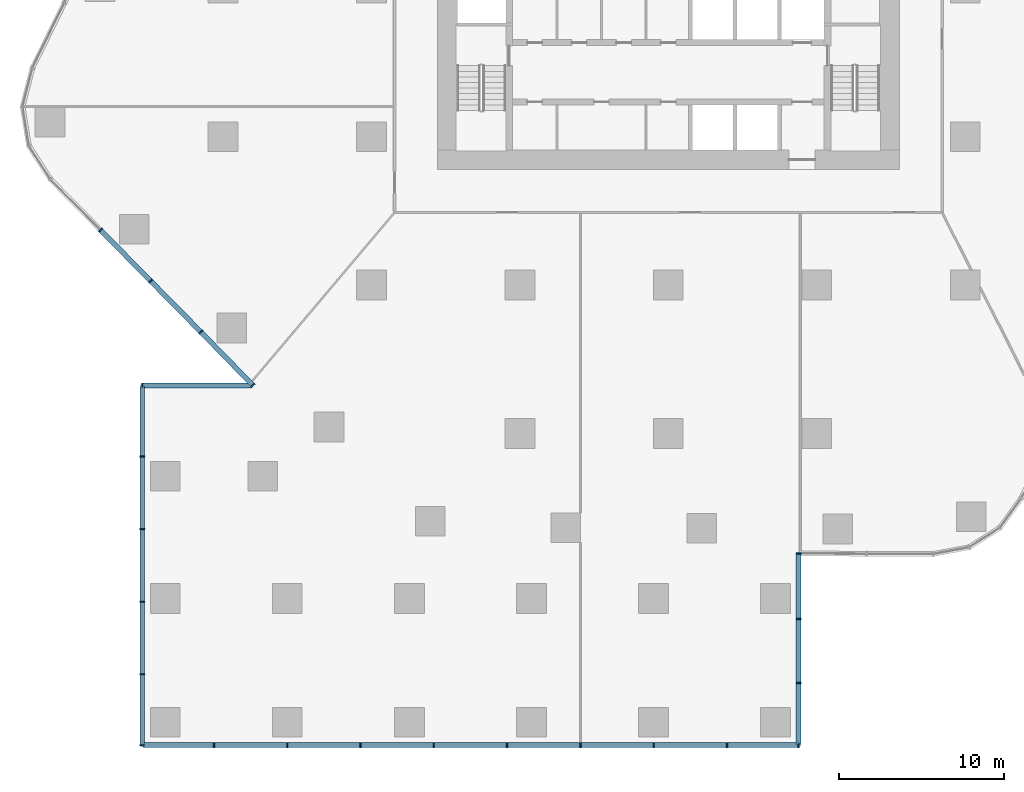
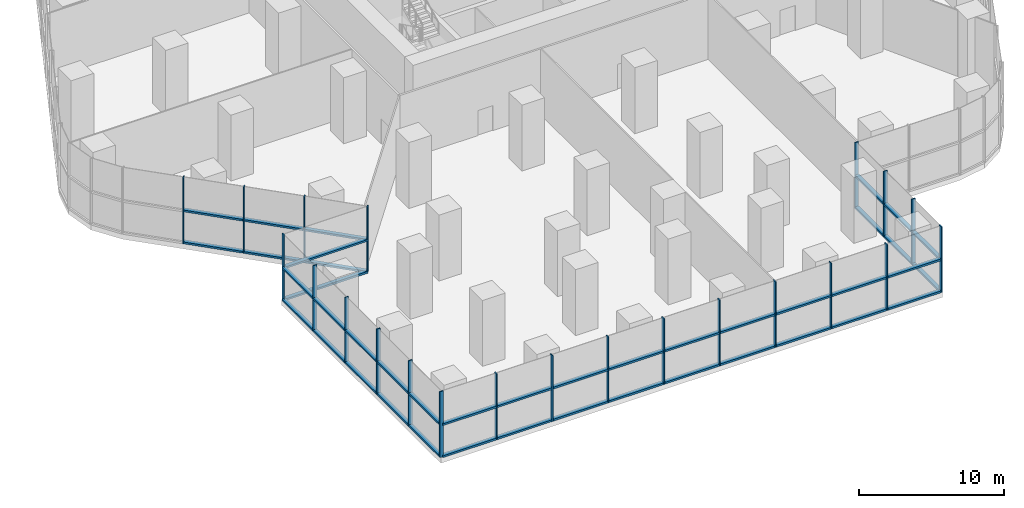
# One storey, part 2 of 15: 64 members, 5 elements without a shape of their own.
"""IFC4 building model written with IfcOpenShell, lengths in metres."""

from ifc_helpers import new_model, si_unit, direction, frame, origin, origin_2d, place, context, subcontext, project, spatial, rectangle, extrude, material, layer, layer_set, material_profile, profile_set, type_object, element, aggregate, save


model = new_model("IFC4")

# Units and contexts
model_context = context("Model", 3, precision=1e-05, world=origin(), true_north=direction((0.0, 1.0)))
body_context = subcontext(model_context, "Body", "Model", "MODEL_VIEW")
ifc_project = project(units=[si_unit("LENGTHUNIT", "METRE"), si_unit("AREAUNIT", "SQUARE_METRE"), si_unit("VOLUMEUNIT", "CUBIC_METRE"), si_unit("PLANEANGLEUNIT", "RADIAN"), si_unit("MASSUNIT", "GRAM", prefix="KILO")], contexts=[model_context])

# Site, building, storey
site_placement = place(None, origin())
site = spatial("IfcSite", under=ifc_project, at=site_placement, CompositionType="ELEMENT")
building_placement = place(site_placement, origin())
building = spatial("IfcBuilding", under=site, at=building_placement, Name="Dongbaek Canopy Tower", CompositionType="ELEMENT")
storey_placement = place(building_placement, frame((0.0, 0.0, 27.0)))
storey = spatial("IfcBuildingStorey", under=building, at=storey_placement, Name="L03", CompositionType="ELEMENT", Elevation=27.0)

# Curtain wall, members
ifc_material_1 = material(Name="Aluminium 6063-T6 pale anodised", Category="aluminium")
ifc_layer = layer(ifc_material_1, 0.300048828125)
ifc_layer_set = layer_set([ifc_layer], Name="CW-2 podium hall curtain wall")
curtain_wall_type = type_object("IfcCurtainWallType", Name="CW-2 podium hall curtain wall", PredefinedType="NOTDEFINED", material=ifc_layer_set)
curtain_wall_1_placement = place(storey_placement, origin())
curtain_wall_1 = element("IfcCurtainWall", 1, at=curtain_wall_1_placement, inside=storey, type_object=curtain_wall_type, Name="CW-2 curtain wall F4.1", PredefinedType="NOTDEFINED")
ifc_material_2 = material(Name="Aluminium 6063-T6 pale anodised", Category="aluminium")
ifc_material_profile_1 = material_profile(ifc_material_2, rectangle(XDim=0.300048828125, YDim=0.080078125, at=origin_2d()), Name="CW-2 mullion 80 x 300")
ifc_profile_set_1 = profile_set([ifc_material_profile_1], Name="Aluminium 6063-T6 pale anodised")
member_type_1 = type_object("IfcMemberType", Name="CW-2 mullion 80 x 300", PredefinedType="MULLION", material=ifc_profile_set_1)
member_1_placement = place(storey_placement, frame((-34.432861328125, -14.668212890625, 0.0), z_axis=(0.0, 0.0, 1.0), x_axis=(-0.71245453488, -0.70171827376, 0.0)))
member_1 = element("IfcMember", 2, at=member_1_placement, type_object=member_type_1, Name="CW-2 mullion F4.1.2", PredefinedType="MULLION", context=body_context, shape_type="SweptSolid", body=[
    extrude(rectangle(XDim=0.300048828125, YDim=0.080078125, at=origin_2d()), origin(), (0.0, 0.0, 1.0), 5.550048828125),
])
member_2_placement = place(storey_placement, frame((-31.392333984375, -17.75537109375, 0.0), z_axis=(0.0, 0.0, 1.0), x_axis=(-0.71245453488, -0.70171827376, 0.0)))
member_2 = element("IfcMember", 3, at=member_2_placement, type_object=member_type_1, Name="CW-2 mullion F4.1.3", PredefinedType="MULLION", context=body_context, shape_type="SweptSolid", body=[
    extrude(rectangle(XDim=0.300048828125, YDim=0.080078125, at=origin_2d()), origin(), (0.0, 0.0, 1.0), 5.550048828125),
])
member_3_placement = place(storey_placement, frame((-28.3515625, -20.842529296875, 0.0), z_axis=(0.0, 0.0, 1.0), x_axis=(-0.714220075218, -0.699921198533, 0.0)))
member_3 = element("IfcMember", 4, at=member_3_placement, type_object=member_type_1, Name="CW-2 mullion F4.1.4", PredefinedType="MULLION", context=body_context, shape_type="SweptSolid", body=[
    extrude(rectangle(XDim=0.300048828125, YDim=0.080078125, at=origin_2d()), origin(), (0.0, 0.0, 1.0), 5.550048828125),
])
member_4_placement = place(storey_placement, frame((-25.19775390625, -24.0771484375, 0.0), z_axis=(0.0, 0.0, 1.0), x_axis=(-0.71598108269, -0.698119681165, 0.0)))
member_4 = element("IfcMember", 5, at=member_4_placement, type_object=member_type_1, Name="CW-2 mullion F4.1.5", PredefinedType="MULLION", context=body_context, shape_type="SweptSolid", body=[
    extrude(rectangle(XDim=0.300048828125, YDim=0.080078125, at=origin_2d()), origin(), (0.0, 0.0, 1.0), 5.550048828125),
])

# Curtain wall, member
curtain_wall_2_placement = place(storey_placement, origin())
curtain_wall_2 = element("IfcCurtainWall", 6, at=curtain_wall_2_placement, inside=storey, type_object=curtain_wall_type, Name="CW-2 curtain wall F5.1", PredefinedType="NOTDEFINED")
member_5_placement = place(storey_placement, frame((-31.89990234375, -24.10009765625, 0.0), z_axis=(0.0, 0.0, 1.0), x_axis=(-0.003396170688, 0.999994232996, 0.0)))
member_5 = element("IfcMember", 7, at=member_5_placement, type_object=member_type_1, Name="CW-2 mullion F5.1.2", PredefinedType="MULLION", context=body_context, shape_type="SweptSolid", body=[
    extrude(rectangle(XDim=0.300048828125, YDim=0.080078125, at=origin_2d()), origin(), (0.0, 0.0, 1.0), 5.550048828125),
])

# Curtain wall, members
curtain_wall_3_placement = place(storey_placement, origin())
curtain_wall_3 = element("IfcCurtainWall", 8, at=curtain_wall_3_placement, inside=storey, type_object=curtain_wall_type, Name="CW-2 curtain wall F6.1", PredefinedType="NOTDEFINED")
member_6_placement = place(storey_placement, frame((-31.89990234375, -28.39990234375, 0.0), z_axis=(0.0, 0.0, 1.0), x_axis=(-1.0, 0.0, 0.0)))
member_6 = element("IfcMember", 9, at=member_6_placement, type_object=member_type_1, Name="CW-2 mullion F6.1.2", PredefinedType="MULLION", context=body_context, shape_type="SweptSolid", body=[
    extrude(rectangle(XDim=0.300048828125, YDim=0.080078125, at=origin_2d()), origin(), (0.0, 0.0, 1.0), 5.550048828125),
])
member_7_placement = place(storey_placement, frame((-31.89990234375, -32.800048828125, 0.0), z_axis=(0.0, 0.0, 1.0), x_axis=(-1.0, 0.0, 0.0)))
member_7 = element("IfcMember", 10, at=member_7_placement, type_object=member_type_1, Name="CW-2 mullion F6.1.3", PredefinedType="MULLION", context=body_context, shape_type="SweptSolid", body=[
    extrude(rectangle(XDim=0.300048828125, YDim=0.080078125, at=origin_2d()), origin(), (0.0, 0.0, 1.0), 5.550048828125),
])
member_8_placement = place(storey_placement, frame((-31.89990234375, -37.199951171875, 0.0), z_axis=(0.0, 0.0, 1.0), x_axis=(-1.0, 0.0, 0.0)))
member_8 = element("IfcMember", 11, at=member_8_placement, type_object=member_type_1, Name="CW-2 mullion F6.1.4", PredefinedType="MULLION", context=body_context, shape_type="SweptSolid", body=[
    extrude(rectangle(XDim=0.300048828125, YDim=0.080078125, at=origin_2d()), origin(), (0.0, 0.0, 1.0), 5.550048828125),
])
member_9_placement = place(storey_placement, frame((-31.89990234375, -41.60009765625, 0.0), z_axis=(0.0, 0.0, 1.0), x_axis=(-1.0, 0.0, 0.0)))
member_9 = element("IfcMember", 12, at=member_9_placement, type_object=member_type_1, Name="CW-2 mullion F6.1.5", PredefinedType="MULLION", context=body_context, shape_type="SweptSolid", body=[
    extrude(rectangle(XDim=0.300048828125, YDim=0.080078125, at=origin_2d()), origin(), (0.0, 0.0, 1.0), 5.550048828125),
])
member_10_placement = place(storey_placement, frame((-31.89990234375, -45.89990234375, 0.0), z_axis=(0.0, 0.0, 1.0), x_axis=(-1.0, 0.0, 0.0)))
member_10 = element("IfcMember", 13, at=member_10_placement, type_object=member_type_1, Name="CW-2 mullion F6.1.6", PredefinedType="MULLION", context=body_context, shape_type="SweptSolid", body=[
    extrude(rectangle(XDim=0.300048828125, YDim=0.080078125, at=origin_2d()), origin(), (0.0, 0.0, 1.0), 5.550048828125),
])

curtain_wall_4_placement = place(storey_placement, origin())
curtain_wall_4 = element("IfcCurtainWall", 14, at=curtain_wall_4_placement, inside=storey, type_object=curtain_wall_type, Name="CW-2 curtain wall F7.1", PredefinedType="NOTDEFINED")
member_11_placement = place(storey_placement, frame((-27.5556640625, -45.89990234375, 0.0), z_axis=(0.0, 0.0, 1.0), x_axis=(0.0, -1.0, 0.0)))
member_11 = element("IfcMember", 15, at=member_11_placement, type_object=member_type_1, Name="CW-2 mullion F7.1.2", PredefinedType="MULLION", context=body_context, shape_type="SweptSolid", body=[
    extrude(rectangle(XDim=0.300048828125, YDim=0.080078125, at=origin_2d()), origin(), (0.0, 0.0, 1.0), 5.550048828125),
])
member_12_placement = place(storey_placement, frame((-23.111083984375, -45.89990234375, 0.0), z_axis=(0.0, 0.0, 1.0), x_axis=(0.0, -1.0, 0.0)))
member_12 = element("IfcMember", 16, at=member_12_placement, type_object=member_type_1, Name="CW-2 mullion F7.1.3", PredefinedType="MULLION", context=body_context, shape_type="SweptSolid", body=[
    extrude(rectangle(XDim=0.300048828125, YDim=0.080078125, at=origin_2d()), origin(), (0.0, 0.0, 1.0), 5.550048828125),
])
member_13_placement = place(storey_placement, frame((-18.666748046875, -45.89990234375, 0.0), z_axis=(0.0, 0.0, 1.0), x_axis=(0.0, -1.0, 0.0)))
member_13 = element("IfcMember", 17, at=member_13_placement, type_object=member_type_1, Name="CW-2 mullion F7.1.4", PredefinedType="MULLION", context=body_context, shape_type="SweptSolid", body=[
    extrude(rectangle(XDim=0.300048828125, YDim=0.080078125, at=origin_2d()), origin(), (0.0, 0.0, 1.0), 5.550048828125),
])
member_14_placement = place(storey_placement, frame((-14.22216796875, -45.89990234375, 0.0), z_axis=(0.0, 0.0, 1.0), x_axis=(0.0, -1.0, 0.0)))
member_14 = element("IfcMember", 18, at=member_14_placement, type_object=member_type_1, Name="CW-2 mullion F7.1.5", PredefinedType="MULLION", context=body_context, shape_type="SweptSolid", body=[
    extrude(rectangle(XDim=0.300048828125, YDim=0.080078125, at=origin_2d()), origin(), (0.0, 0.0, 1.0), 5.550048828125),
])
member_15_placement = place(storey_placement, frame((-9.77783203125, -45.89990234375, 0.0), z_axis=(0.0, 0.0, 1.0), x_axis=(0.0, -1.0, 0.0)))
member_15 = element("IfcMember", 19, at=member_15_placement, type_object=member_type_1, Name="CW-2 mullion F7.1.6", PredefinedType="MULLION", context=body_context, shape_type="SweptSolid", body=[
    extrude(rectangle(XDim=0.300048828125, YDim=0.080078125, at=origin_2d()), origin(), (0.0, 0.0, 1.0), 5.550048828125),
])
member_16_placement = place(storey_placement, frame((-5.333251953125, -45.89990234375, 0.0), z_axis=(0.0, 0.0, 1.0), x_axis=(0.0, -1.0, 0.0)))
member_16 = element("IfcMember", 20, at=member_16_placement, type_object=member_type_1, Name="CW-2 mullion F7.1.7", PredefinedType="MULLION", context=body_context, shape_type="SweptSolid", body=[
    extrude(rectangle(XDim=0.300048828125, YDim=0.080078125, at=origin_2d()), origin(), (0.0, 0.0, 1.0), 5.550048828125),
])
member_17_placement = place(storey_placement, frame((-0.888916015625, -45.89990234375, 0.0), z_axis=(0.0, 0.0, 1.0), x_axis=(0.0, -1.0, 0.0)))
member_17 = element("IfcMember", 21, at=member_17_placement, type_object=member_type_1, Name="CW-2 mullion F7.1.8", PredefinedType="MULLION", context=body_context, shape_type="SweptSolid", body=[
    extrude(rectangle(XDim=0.300048828125, YDim=0.080078125, at=origin_2d()), origin(), (0.0, 0.0, 1.0), 5.550048828125),
])
member_18_placement = place(storey_placement, frame((3.5556640625, -45.89990234375, 0.0), z_axis=(0.0, 0.0, 1.0), x_axis=(0.0, -1.0, 0.0)))
member_18 = element("IfcMember", 22, at=member_18_placement, type_object=member_type_1, Name="CW-2 mullion F7.1.9", PredefinedType="MULLION", context=body_context, shape_type="SweptSolid", body=[
    extrude(rectangle(XDim=0.300048828125, YDim=0.080078125, at=origin_2d()), origin(), (0.0, 0.0, 1.0), 5.550048828125),
])
member_19_placement = place(storey_placement, frame((7.89990234375, -45.89990234375, 0.0), z_axis=(0.0, 0.0, 1.0), x_axis=(0.0, -1.0, 0.0)))
member_19 = element("IfcMember", 23, at=member_19_placement, type_object=member_type_1, Name="CW-2 mullion F7.1.10", PredefinedType="MULLION", context=body_context, shape_type="SweptSolid", body=[
    extrude(rectangle(XDim=0.300048828125, YDim=0.080078125, at=origin_2d()), origin(), (0.0, 0.0, 1.0), 5.550048828125),
])

curtain_wall_5_placement = place(storey_placement, origin())
curtain_wall_5 = element("IfcCurtainWall", 24, at=curtain_wall_5_placement, inside=storey, type_object=curtain_wall_type, Name="CW-2 curtain wall F8.1", PredefinedType="NOTDEFINED")
member_20_placement = place(storey_placement, frame((7.89990234375, -42.126708984375, 0.0), z_axis=(0.0, 0.0, 1.0), x_axis=(1.0, 0.0, 0.0)))
member_20 = element("IfcMember", 25, at=member_20_placement, type_object=member_type_1, Name="CW-2 mullion F8.1.2", PredefinedType="MULLION", context=body_context, shape_type="SweptSolid", body=[
    extrude(rectangle(XDim=0.300048828125, YDim=0.080078125, at=origin_2d()), origin(), (0.0, 0.0, 1.0), 5.550048828125),
])
member_21_placement = place(storey_placement, frame((7.89990234375, -38.25341796875, 0.0), z_axis=(0.0, 0.0, 1.0), x_axis=(1.0, 0.0, 0.0)))
member_21 = element("IfcMember", 26, at=member_21_placement, type_object=member_type_1, Name="CW-2 mullion F8.1.3", PredefinedType="MULLION", context=body_context, shape_type="SweptSolid", body=[
    extrude(rectangle(XDim=0.300048828125, YDim=0.080078125, at=origin_2d()), origin(), (0.0, 0.0, 1.0), 5.550048828125),
])
member_22_placement = place(storey_placement, frame((7.89990234375, -34.27978515625, 0.0), z_axis=(0.0, 0.0, 1.0), x_axis=(1.0, 0.0, 0.0)))
member_22 = element("IfcMember", 27, at=member_22_placement, type_object=member_type_1, Name="CW-2 mullion F8.1.4", PredefinedType="MULLION", context=body_context, shape_type="SweptSolid", body=[
    extrude(rectangle(XDim=0.300048828125, YDim=0.080078125, at=origin_2d()), origin(), (0.0, 0.0, 1.0), 5.550048828125),
])

# Member
ifc_material_3 = material(Name="Aluminium 6063-T6 pale anodised", Category="aluminium")
ifc_material_profile_2 = material_profile(ifc_material_3, rectangle(XDim=0.300048828125, YDim=0.159912109375, at=origin_2d()), Name="CW-2 transom 160 x 300")
ifc_profile_set_2 = profile_set([ifc_material_profile_2], Name="Aluminium 6063-T6 pale anodised")
member_type_2 = type_object("IfcMemberType", Name="CW-2 transom 160 x 300", PredefinedType="USERDEFINED", material=ifc_profile_set_2)
member_23_placement = place(storey_placement, frame((-34.396484375, -14.705322265625, 0.080078125), z_axis=(0.701746738889, -0.712426497584, 0.0), x_axis=(0.712426497584, 0.701746738889, 0.0)))
member_23 = element("IfcMember", 28, at=member_23_placement, type_object=member_type_2, Name="CW-2 transom F4.1.2.1", ObjectType="TRANSOM", PredefinedType="USERDEFINED", context=body_context, shape_type="SweptSolid", body=[
    extrude(rectangle(XDim=0.300048828125, YDim=0.159912109375, at=origin_2d()), origin(), (0.0, 0.0, 1.0), 4.22900390625),
])

member_24_placement = place(storey_placement, frame((-34.396484375, -14.705322265625, 2.77490234375), z_axis=(0.701746738889, -0.712426497584, 0.0), x_axis=(0.712426497584, 0.701746738889, 0.0)))
member_24 = element("IfcMember", 29, at=member_24_placement, type_object=member_type_2, Name="CW-2 transom F4.1.2.2", ObjectType="TRANSOM", PredefinedType="USERDEFINED", context=body_context, shape_type="SweptSolid", body=[
    extrude(rectangle(XDim=0.300048828125, YDim=0.159912109375, at=origin_2d()), origin(), (0.0, 0.0, 1.0), 4.22900390625),
])

member_25_placement = place(storey_placement, frame((-31.355712890625, -17.79248046875, 0.080078125), z_axis=(0.701717878579, -0.712454924105, 0.0), x_axis=(0.712454924105, 0.701717878579, 0.0)))
member_25 = element("IfcMember", 30, at=member_25_placement, type_object=member_type_2, Name="CW-2 transom F4.1.3.1", ObjectType="TRANSOM", PredefinedType="USERDEFINED", context=body_context, shape_type="SweptSolid", body=[
    extrude(rectangle(XDim=0.300048828125, YDim=0.159912109375, at=origin_2d()), origin(), (0.0, 0.0, 1.0), 4.229248046875),
])

member_26_placement = place(storey_placement, frame((-31.355712890625, -17.79248046875, 2.77490234375), z_axis=(0.701717878579, -0.712454924105, 0.0), x_axis=(0.712454924105, 0.701717878579, 0.0)))
member_26 = element("IfcMember", 31, at=member_26_placement, type_object=member_type_2, Name="CW-2 transom F4.1.3.2", ObjectType="TRANSOM", PredefinedType="USERDEFINED", context=body_context, shape_type="SweptSolid", body=[
    extrude(rectangle(XDim=0.300048828125, YDim=0.159912109375, at=origin_2d()), origin(), (0.0, 0.0, 1.0), 4.229248046875),
])

member_27_placement = place(storey_placement, frame((-28.315185546875, -20.8798828125, 0.080078125), z_axis=(0.698117150151, -0.715983550555, 0.0), x_axis=(0.715983550555, 0.698117150151, 0.0)))
member_27 = element("IfcMember", 32, at=member_27_placement, type_object=member_type_2, Name="CW-2 transom F4.1.4.1", ObjectType="TRANSOM", PredefinedType="USERDEFINED", context=body_context, shape_type="SweptSolid", body=[
    extrude(rectangle(XDim=0.300048828125, YDim=0.159912109375, at=origin_2d()), origin(), (0.0, 0.0, 1.0), 4.413818359375),
])

member_28_placement = place(storey_placement, frame((-28.315185546875, -20.8798828125, 2.77490234375), z_axis=(0.698117150151, -0.715983550555, 0.0), x_axis=(0.715983550555, 0.698117150151, 0.0)))
member_28 = element("IfcMember", 33, at=member_28_placement, type_object=member_type_2, Name="CW-2 transom F4.1.4.2", ObjectType="TRANSOM", PredefinedType="USERDEFINED", context=body_context, shape_type="SweptSolid", body=[
    extrude(rectangle(XDim=0.300048828125, YDim=0.159912109375, at=origin_2d()), origin(), (0.0, 0.0, 1.0), 4.413818359375),
])

aggregate(curtain_wall_1, [member_1, member_2, member_3, member_4, member_23, member_24, member_25, member_26, member_27, member_28])

member_29_placement = place(storey_placement, frame((-25.249755859375, -24.077392578125, 0.080078125), z_axis=(-0.999994206002, -0.003404109633, 0.0), x_axis=(0.003404109633, -0.999994206002, 0.0)))
member_29 = element("IfcMember", 34, at=member_29_placement, type_object=member_type_2, Name="CW-2 transom F5.1.1.1", ObjectType="TRANSOM", PredefinedType="USERDEFINED", context=body_context, shape_type="SweptSolid", body=[
    extrude(rectangle(XDim=0.300048828125, YDim=0.159912109375, at=origin_2d()), origin(), (0.0, 0.0, 1.0), 6.59814453125),
])

member_30_placement = place(storey_placement, frame((-25.249755859375, -24.077392578125, 2.77490234375), z_axis=(-0.999994206002, -0.003404109633, 0.0), x_axis=(0.003404109633, -0.999994206002, 0.0)))
member_30 = element("IfcMember", 35, at=member_30_placement, type_object=member_type_2, Name="CW-2 transom F5.1.1.2", ObjectType="TRANSOM", PredefinedType="USERDEFINED", context=body_context, shape_type="SweptSolid", body=[
    extrude(rectangle(XDim=0.300048828125, YDim=0.159912109375, at=origin_2d()), origin(), (0.0, 0.0, 1.0), 6.59814453125),
])

aggregate(curtain_wall_2, [member_5, member_29, member_30])

member_31_placement = place(storey_placement, frame((-31.89990234375, -24.152099609375, 0.080078125), z_axis=(0.0, -1.0, 0.0), x_axis=(1.0, 0.0, 0.0)))
member_31 = element("IfcMember", 36, at=member_31_placement, type_object=member_type_2, Name="CW-2 transom F6.1.1.1", ObjectType="TRANSOM", PredefinedType="USERDEFINED", context=body_context, shape_type="SweptSolid", body=[
    extrude(rectangle(XDim=0.300048828125, YDim=0.159912109375, at=origin_2d()), origin(), (0.0, 0.0, 1.0), 4.19580078125),
])

member_32_placement = place(storey_placement, frame((-31.89990234375, -24.152099609375, 2.77490234375), z_axis=(0.0, -1.0, 0.0), x_axis=(1.0, 0.0, 0.0)))
member_32 = element("IfcMember", 37, at=member_32_placement, type_object=member_type_2, Name="CW-2 transom F6.1.1.2", ObjectType="TRANSOM", PredefinedType="USERDEFINED", context=body_context, shape_type="SweptSolid", body=[
    extrude(rectangle(XDim=0.300048828125, YDim=0.159912109375, at=origin_2d()), origin(), (0.0, 0.0, 1.0), 4.19580078125),
])

member_33_placement = place(storey_placement, frame((-31.89990234375, -28.451904296875, 0.080078125), z_axis=(0.0, -1.0, 0.0), x_axis=(1.0, 0.0, 0.0)))
member_33 = element("IfcMember", 38, at=member_33_placement, type_object=member_type_2, Name="CW-2 transom F6.1.2.1", ObjectType="TRANSOM", PredefinedType="USERDEFINED", context=body_context, shape_type="SweptSolid", body=[
    extrude(rectangle(XDim=0.300048828125, YDim=0.159912109375, at=origin_2d()), origin(), (0.0, 0.0, 1.0), 4.296142578125),
])

member_34_placement = place(storey_placement, frame((-31.89990234375, -28.451904296875, 2.77490234375), z_axis=(0.0, -1.0, 0.0), x_axis=(1.0, 0.0, 0.0)))
member_34 = element("IfcMember", 39, at=member_34_placement, type_object=member_type_2, Name="CW-2 transom F6.1.2.2", ObjectType="TRANSOM", PredefinedType="USERDEFINED", context=body_context, shape_type="SweptSolid", body=[
    extrude(rectangle(XDim=0.300048828125, YDim=0.159912109375, at=origin_2d()), origin(), (0.0, 0.0, 1.0), 4.296142578125),
])

member_35_placement = place(storey_placement, frame((-31.89990234375, -32.85205078125, 0.080078125), z_axis=(0.0, -1.0, 0.0), x_axis=(1.0, 0.0, 0.0)))
member_35 = element("IfcMember", 40, at=member_35_placement, type_object=member_type_2, Name="CW-2 transom F6.1.3.1", ObjectType="TRANSOM", PredefinedType="USERDEFINED", context=body_context, shape_type="SweptSolid", body=[
    extrude(rectangle(XDim=0.300048828125, YDim=0.159912109375, at=origin_2d()), origin(), (0.0, 0.0, 1.0), 4.2958984375),
])

member_36_placement = place(storey_placement, frame((-31.89990234375, -32.85205078125, 2.77490234375), z_axis=(0.0, -1.0, 0.0), x_axis=(1.0, 0.0, 0.0)))
member_36 = element("IfcMember", 41, at=member_36_placement, type_object=member_type_2, Name="CW-2 transom F6.1.3.2", ObjectType="TRANSOM", PredefinedType="USERDEFINED", context=body_context, shape_type="SweptSolid", body=[
    extrude(rectangle(XDim=0.300048828125, YDim=0.159912109375, at=origin_2d()), origin(), (0.0, 0.0, 1.0), 4.2958984375),
])

member_37_placement = place(storey_placement, frame((-31.89990234375, -37.251953125, 0.080078125), z_axis=(0.0, -1.0, 0.0), x_axis=(1.0, 0.0, 0.0)))
member_37 = element("IfcMember", 42, at=member_37_placement, type_object=member_type_2, Name="CW-2 transom F6.1.4.1", ObjectType="TRANSOM", PredefinedType="USERDEFINED", context=body_context, shape_type="SweptSolid", body=[
    extrude(rectangle(XDim=0.300048828125, YDim=0.159912109375, at=origin_2d()), origin(), (0.0, 0.0, 1.0), 4.296142578125),
])

member_38_placement = place(storey_placement, frame((-31.89990234375, -37.251953125, 2.77490234375), z_axis=(0.0, -1.0, 0.0), x_axis=(1.0, 0.0, 0.0)))
member_38 = element("IfcMember", 43, at=member_38_placement, type_object=member_type_2, Name="CW-2 transom F6.1.4.2", ObjectType="TRANSOM", PredefinedType="USERDEFINED", context=body_context, shape_type="SweptSolid", body=[
    extrude(rectangle(XDim=0.300048828125, YDim=0.159912109375, at=origin_2d()), origin(), (0.0, 0.0, 1.0), 4.296142578125),
])

member_39_placement = place(storey_placement, frame((-31.89990234375, -41.652099609375, 0.080078125), z_axis=(0.0, -1.0, 0.0), x_axis=(1.0, 0.0, 0.0)))
member_39 = element("IfcMember", 44, at=member_39_placement, type_object=member_type_2, Name="CW-2 transom F6.1.5.1", ObjectType="TRANSOM", PredefinedType="USERDEFINED", context=body_context, shape_type="SweptSolid", body=[
    extrude(rectangle(XDim=0.300048828125, YDim=0.159912109375, at=origin_2d()), origin(), (0.0, 0.0, 1.0), 4.19580078125),
])

member_40_placement = place(storey_placement, frame((-31.89990234375, -41.652099609375, 2.77490234375), z_axis=(0.0, -1.0, 0.0), x_axis=(1.0, 0.0, 0.0)))
member_40 = element("IfcMember", 45, at=member_40_placement, type_object=member_type_2, Name="CW-2 transom F6.1.5.2", ObjectType="TRANSOM", PredefinedType="USERDEFINED", context=body_context, shape_type="SweptSolid", body=[
    extrude(rectangle(XDim=0.300048828125, YDim=0.159912109375, at=origin_2d()), origin(), (0.0, 0.0, 1.0), 4.19580078125),
])

aggregate(curtain_wall_3, [member_6, member_7, member_8, member_9, member_10, member_31, member_32, member_33, member_34, member_35, member_36, member_37, member_38, member_39, member_40])

member_41_placement = place(storey_placement, frame((-31.847900390625, -45.89990234375, 0.080078125), z_axis=(1.0, 0.0, 0.0), x_axis=(0.0, 1.0, 0.0)))
member_41 = element("IfcMember", 46, at=member_41_placement, type_object=member_type_2, Name="CW-2 transom F7.1.1.1", ObjectType="TRANSOM", PredefinedType="USERDEFINED", context=body_context, shape_type="SweptSolid", body=[
    extrude(rectangle(XDim=0.300048828125, YDim=0.159912109375, at=origin_2d()), origin(), (0.0, 0.0, 1.0), 4.240234375),
])

member_42_placement = place(storey_placement, frame((-31.847900390625, -45.89990234375, 2.77490234375), z_axis=(1.0, 0.0, 0.0), x_axis=(0.0, 1.0, 0.0)))
member_42 = element("IfcMember", 47, at=member_42_placement, type_object=member_type_2, Name="CW-2 transom F7.1.1.2", ObjectType="TRANSOM", PredefinedType="USERDEFINED", context=body_context, shape_type="SweptSolid", body=[
    extrude(rectangle(XDim=0.300048828125, YDim=0.159912109375, at=origin_2d()), origin(), (0.0, 0.0, 1.0), 4.240234375),
])

member_43_placement = place(storey_placement, frame((-27.503662109375, -45.89990234375, 0.080078125), z_axis=(1.0, 0.0, 0.0), x_axis=(0.0, 1.0, 0.0)))
member_43 = element("IfcMember", 48, at=member_43_placement, type_object=member_type_2, Name="CW-2 transom F7.1.2.1", ObjectType="TRANSOM", PredefinedType="USERDEFINED", context=body_context, shape_type="SweptSolid", body=[
    extrude(rectangle(XDim=0.300048828125, YDim=0.159912109375, at=origin_2d()), origin(), (0.0, 0.0, 1.0), 4.340576171875),
])

member_44_placement = place(storey_placement, frame((-27.503662109375, -45.89990234375, 2.77490234375), z_axis=(1.0, 0.0, 0.0), x_axis=(0.0, 1.0, 0.0)))
member_44 = element("IfcMember", 49, at=member_44_placement, type_object=member_type_2, Name="CW-2 transom F7.1.2.2", ObjectType="TRANSOM", PredefinedType="USERDEFINED", context=body_context, shape_type="SweptSolid", body=[
    extrude(rectangle(XDim=0.300048828125, YDim=0.159912109375, at=origin_2d()), origin(), (0.0, 0.0, 1.0), 4.340576171875),
])

member_45_placement = place(storey_placement, frame((-23.05908203125, -45.89990234375, 0.080078125), z_axis=(1.0, 0.0, 0.0), x_axis=(0.0, 1.0, 0.0)))
member_45 = element("IfcMember", 50, at=member_45_placement, type_object=member_type_2, Name="CW-2 transom F7.1.3.1", ObjectType="TRANSOM", PredefinedType="USERDEFINED", context=body_context, shape_type="SweptSolid", body=[
    extrude(rectangle(XDim=0.300048828125, YDim=0.159912109375, at=origin_2d()), origin(), (0.0, 0.0, 1.0), 4.34033203125),
])

member_46_placement = place(storey_placement, frame((-23.05908203125, -45.89990234375, 2.77490234375), z_axis=(1.0, 0.0, 0.0), x_axis=(0.0, 1.0, 0.0)))
member_46 = element("IfcMember", 51, at=member_46_placement, type_object=member_type_2, Name="CW-2 transom F7.1.3.2", ObjectType="TRANSOM", PredefinedType="USERDEFINED", context=body_context, shape_type="SweptSolid", body=[
    extrude(rectangle(XDim=0.300048828125, YDim=0.159912109375, at=origin_2d()), origin(), (0.0, 0.0, 1.0), 4.34033203125),
])

member_47_placement = place(storey_placement, frame((-18.61474609375, -45.89990234375, 0.080078125), z_axis=(1.0, 0.0, 0.0), x_axis=(0.0, 1.0, 0.0)))
member_47 = element("IfcMember", 52, at=member_47_placement, type_object=member_type_2, Name="CW-2 transom F7.1.4.1", ObjectType="TRANSOM", PredefinedType="USERDEFINED", context=body_context, shape_type="SweptSolid", body=[
    extrude(rectangle(XDim=0.300048828125, YDim=0.159912109375, at=origin_2d()), origin(), (0.0, 0.0, 1.0), 4.340576171875),
])

member_48_placement = place(storey_placement, frame((-18.61474609375, -45.89990234375, 2.77490234375), z_axis=(1.0, 0.0, 0.0), x_axis=(0.0, 1.0, 0.0)))
member_48 = element("IfcMember", 53, at=member_48_placement, type_object=member_type_2, Name="CW-2 transom F7.1.4.2", ObjectType="TRANSOM", PredefinedType="USERDEFINED", context=body_context, shape_type="SweptSolid", body=[
    extrude(rectangle(XDim=0.300048828125, YDim=0.159912109375, at=origin_2d()), origin(), (0.0, 0.0, 1.0), 4.340576171875),
])

member_49_placement = place(storey_placement, frame((-14.170166015625, -45.89990234375, 0.080078125), z_axis=(1.0, 0.0, 0.0), x_axis=(0.0, 1.0, 0.0)))
member_49 = element("IfcMember", 54, at=member_49_placement, type_object=member_type_2, Name="CW-2 transom F7.1.5.1", ObjectType="TRANSOM", PredefinedType="USERDEFINED", context=body_context, shape_type="SweptSolid", body=[
    extrude(rectangle(XDim=0.300048828125, YDim=0.159912109375, at=origin_2d()), origin(), (0.0, 0.0, 1.0), 4.34033203125),
])

member_50_placement = place(storey_placement, frame((-14.170166015625, -45.89990234375, 2.77490234375), z_axis=(1.0, 0.0, 0.0), x_axis=(0.0, 1.0, 0.0)))
member_50 = element("IfcMember", 55, at=member_50_placement, type_object=member_type_2, Name="CW-2 transom F7.1.5.2", ObjectType="TRANSOM", PredefinedType="USERDEFINED", context=body_context, shape_type="SweptSolid", body=[
    extrude(rectangle(XDim=0.300048828125, YDim=0.159912109375, at=origin_2d()), origin(), (0.0, 0.0, 1.0), 4.34033203125),
])

member_51_placement = place(storey_placement, frame((-9.725830078125, -45.89990234375, 0.080078125), z_axis=(1.0, 0.0, 0.0), x_axis=(0.0, 1.0, 0.0)))
member_51 = element("IfcMember", 56, at=member_51_placement, type_object=member_type_2, Name="CW-2 transom F7.1.6.1", ObjectType="TRANSOM", PredefinedType="USERDEFINED", context=body_context, shape_type="SweptSolid", body=[
    extrude(rectangle(XDim=0.300048828125, YDim=0.159912109375, at=origin_2d()), origin(), (0.0, 0.0, 1.0), 4.340576171875),
])

member_52_placement = place(storey_placement, frame((-9.725830078125, -45.89990234375, 2.77490234375), z_axis=(1.0, 0.0, 0.0), x_axis=(0.0, 1.0, 0.0)))
member_52 = element("IfcMember", 57, at=member_52_placement, type_object=member_type_2, Name="CW-2 transom F7.1.6.2", ObjectType="TRANSOM", PredefinedType="USERDEFINED", context=body_context, shape_type="SweptSolid", body=[
    extrude(rectangle(XDim=0.300048828125, YDim=0.159912109375, at=origin_2d()), origin(), (0.0, 0.0, 1.0), 4.340576171875),
])

member_53_placement = place(storey_placement, frame((-5.28125, -45.89990234375, 0.080078125), z_axis=(1.0, 0.0, 0.0), x_axis=(0.0, 1.0, 0.0)))
member_53 = element("IfcMember", 58, at=member_53_placement, type_object=member_type_2, Name="CW-2 transom F7.1.7.1", ObjectType="TRANSOM", PredefinedType="USERDEFINED", context=body_context, shape_type="SweptSolid", body=[
    extrude(rectangle(XDim=0.300048828125, YDim=0.159912109375, at=origin_2d()), origin(), (0.0, 0.0, 1.0), 4.34033203125),
])

member_54_placement = place(storey_placement, frame((-5.28125, -45.89990234375, 2.77490234375), z_axis=(1.0, 0.0, 0.0), x_axis=(0.0, 1.0, 0.0)))
member_54 = element("IfcMember", 59, at=member_54_placement, type_object=member_type_2, Name="CW-2 transom F7.1.7.2", ObjectType="TRANSOM", PredefinedType="USERDEFINED", context=body_context, shape_type="SweptSolid", body=[
    extrude(rectangle(XDim=0.300048828125, YDim=0.159912109375, at=origin_2d()), origin(), (0.0, 0.0, 1.0), 4.34033203125),
])

member_55_placement = place(storey_placement, frame((-0.8369140625, -45.89990234375, 0.080078125), z_axis=(1.0, 0.0, 0.0), x_axis=(0.0, 1.0, 0.0)))
member_55 = element("IfcMember", 60, at=member_55_placement, type_object=member_type_2, Name="CW-2 transom F7.1.8.1", ObjectType="TRANSOM", PredefinedType="USERDEFINED", context=body_context, shape_type="SweptSolid", body=[
    extrude(rectangle(XDim=0.300048828125, YDim=0.159912109375, at=origin_2d()), origin(), (0.0, 0.0, 1.0), 4.340576171875),
])

member_56_placement = place(storey_placement, frame((-0.8369140625, -45.89990234375, 2.77490234375), z_axis=(1.0, 0.0, 0.0), x_axis=(0.0, 1.0, 0.0)))
member_56 = element("IfcMember", 61, at=member_56_placement, type_object=member_type_2, Name="CW-2 transom F7.1.8.2", ObjectType="TRANSOM", PredefinedType="USERDEFINED", context=body_context, shape_type="SweptSolid", body=[
    extrude(rectangle(XDim=0.300048828125, YDim=0.159912109375, at=origin_2d()), origin(), (0.0, 0.0, 1.0), 4.340576171875),
])

member_57_placement = place(storey_placement, frame((3.607666015625, -45.89990234375, 0.080078125), z_axis=(1.0, 0.0, 0.0), x_axis=(0.0, 1.0, 0.0)))
member_57 = element("IfcMember", 62, at=member_57_placement, type_object=member_type_2, Name="CW-2 transom F7.1.9.1", ObjectType="TRANSOM", PredefinedType="USERDEFINED", context=body_context, shape_type="SweptSolid", body=[
    extrude(rectangle(XDim=0.300048828125, YDim=0.159912109375, at=origin_2d()), origin(), (0.0, 0.0, 1.0), 4.240234375),
])

member_58_placement = place(storey_placement, frame((3.607666015625, -45.89990234375, 2.77490234375), z_axis=(1.0, 0.0, 0.0), x_axis=(0.0, 1.0, 0.0)))
member_58 = element("IfcMember", 63, at=member_58_placement, type_object=member_type_2, Name="CW-2 transom F7.1.9.2", ObjectType="TRANSOM", PredefinedType="USERDEFINED", context=body_context, shape_type="SweptSolid", body=[
    extrude(rectangle(XDim=0.300048828125, YDim=0.159912109375, at=origin_2d()), origin(), (0.0, 0.0, 1.0), 4.240234375),
])

aggregate(curtain_wall_4, [member_11, member_12, member_13, member_14, member_15, member_16, member_17, member_18, member_19, member_41, member_42, member_43, member_44, member_45, member_46, member_47, member_48, member_49, member_50, member_51, member_52, member_53, member_54, member_55, member_56, member_57, member_58])

member_59_placement = place(storey_placement, frame((7.89990234375, -45.847900390625, 0.080078125), z_axis=(0.0, 1.0, 0.0), x_axis=(-1.0, 0.0, 0.0)))
member_59 = element("IfcMember", 64, at=member_59_placement, type_object=member_type_2, Name="CW-2 transom F8.1.1.1", ObjectType="TRANSOM", PredefinedType="USERDEFINED", context=body_context, shape_type="SweptSolid", body=[
    extrude(rectangle(XDim=0.300048828125, YDim=0.159912109375, at=origin_2d()), origin(), (0.0, 0.0, 1.0), 3.669189453125),
])

member_60_placement = place(storey_placement, frame((7.89990234375, -45.847900390625, 2.77490234375), z_axis=(0.0, 1.0, 0.0), x_axis=(-1.0, 0.0, 0.0)))
member_60 = element("IfcMember", 65, at=member_60_placement, type_object=member_type_2, Name="CW-2 transom F8.1.1.2", ObjectType="TRANSOM", PredefinedType="USERDEFINED", context=body_context, shape_type="SweptSolid", body=[
    extrude(rectangle(XDim=0.300048828125, YDim=0.159912109375, at=origin_2d()), origin(), (0.0, 0.0, 1.0), 3.669189453125),
])

member_61_placement = place(storey_placement, frame((7.89990234375, -42.07470703125, 0.080078125), z_axis=(0.0, 1.0, 0.0), x_axis=(-1.0, 0.0, 0.0)))
member_61 = element("IfcMember", 66, at=member_61_placement, type_object=member_type_2, Name="CW-2 transom F8.1.2.1", ObjectType="TRANSOM", PredefinedType="USERDEFINED", context=body_context, shape_type="SweptSolid", body=[
    extrude(rectangle(XDim=0.300048828125, YDim=0.159912109375, at=origin_2d()), origin(), (0.0, 0.0, 1.0), 3.769287109375),
])

member_62_placement = place(storey_placement, frame((7.89990234375, -42.07470703125, 2.77490234375), z_axis=(0.0, 1.0, 0.0), x_axis=(-1.0, 0.0, 0.0)))
member_62 = element("IfcMember", 67, at=member_62_placement, type_object=member_type_2, Name="CW-2 transom F8.1.2.2", ObjectType="TRANSOM", PredefinedType="USERDEFINED", context=body_context, shape_type="SweptSolid", body=[
    extrude(rectangle(XDim=0.300048828125, YDim=0.159912109375, at=origin_2d()), origin(), (0.0, 0.0, 1.0), 3.769287109375),
])

member_63_placement = place(storey_placement, frame((7.89990234375, -38.201416015625, 0.080078125), z_axis=(0.0, 1.0, 0.0), x_axis=(-1.0, 0.0, 0.0)))
member_63 = element("IfcMember", 68, at=member_63_placement, type_object=member_type_2, Name="CW-2 transom F8.1.3.1", ObjectType="TRANSOM", PredefinedType="USERDEFINED", context=body_context, shape_type="SweptSolid", body=[
    extrude(rectangle(XDim=0.300048828125, YDim=0.159912109375, at=origin_2d()), origin(), (0.0, 0.0, 1.0), 3.869873046875),
])

member_64_placement = place(storey_placement, frame((7.89990234375, -38.201416015625, 2.77490234375), z_axis=(0.0, 1.0, 0.0), x_axis=(-1.0, 0.0, 0.0)))
member_64 = element("IfcMember", 69, at=member_64_placement, type_object=member_type_2, Name="CW-2 transom F8.1.3.2", ObjectType="TRANSOM", PredefinedType="USERDEFINED", context=body_context, shape_type="SweptSolid", body=[
    extrude(rectangle(XDim=0.300048828125, YDim=0.159912109375, at=origin_2d()), origin(), (0.0, 0.0, 1.0), 3.869873046875),
])

aggregate(curtain_wall_5, [member_20, member_21, member_22, member_59, member_60, member_61, member_62, member_63, member_64])

save(model, "model.ifc")
